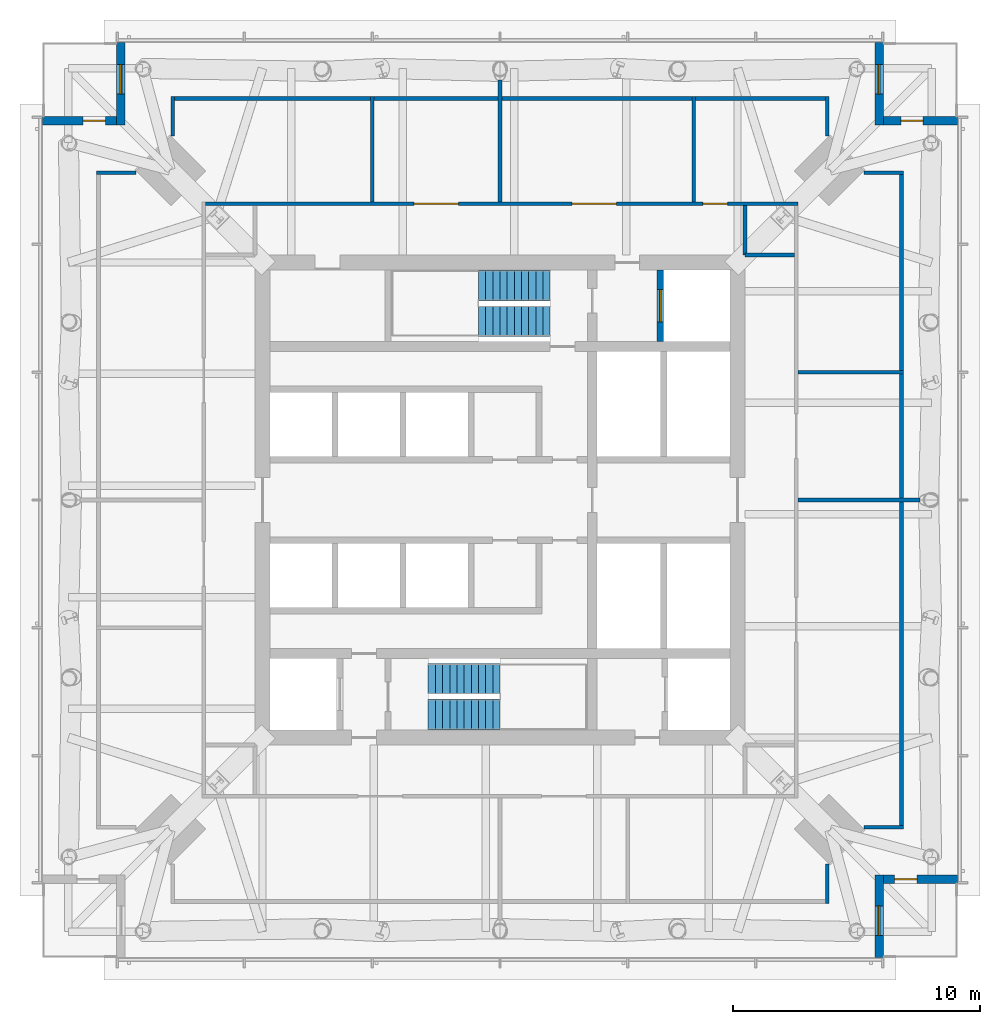
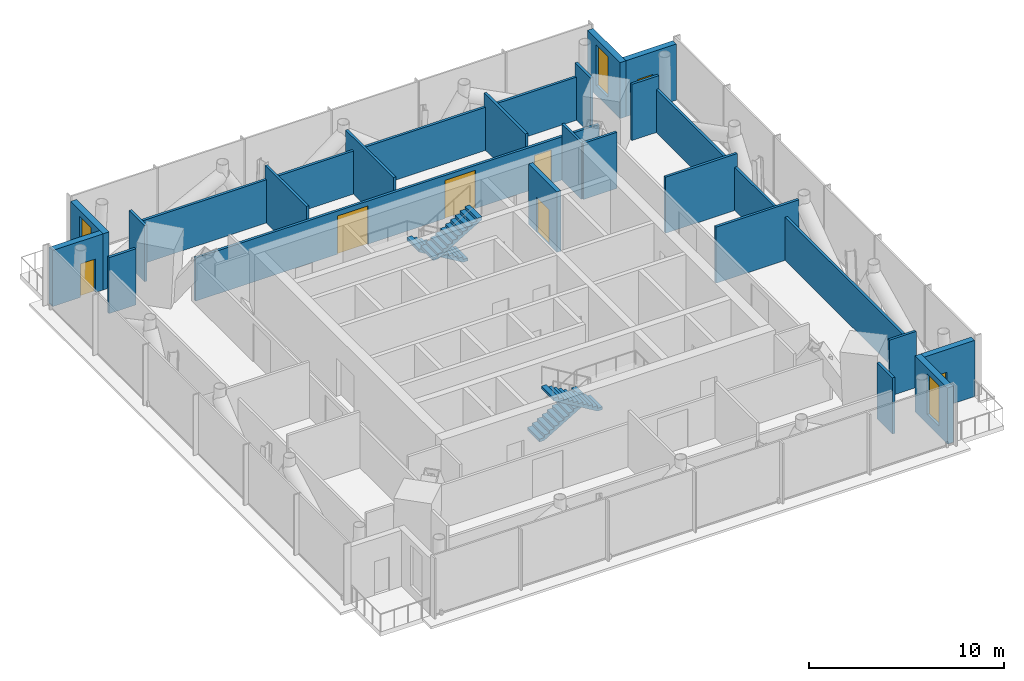
# One storey, part 6 of 10: 23 walls, 7 doors, 4 stair flights, 3 windows, 10 openings, 2 elements without a shape of their own.
"""IFC4 building model written with IfcOpenShell, lengths in metres."""

from ifc_helpers import new_model, si_unit, direction, frame, frame_2d, origin, place, context, subcontext, project, spatial, polyline, rectangle, outline, extrude, material, layer, layer_set, type_object, element, fill, aggregate, save


model = new_model("IFC4")

# Units and contexts
model_context = context("Model", 3, precision=1e-05, world=origin(), true_north=direction((0.0, 1.0)))
body_context = subcontext(model_context, "Body", "Model", "MODEL_VIEW")
ifc_project = project(units=[si_unit("LENGTHUNIT", "METRE"), si_unit("AREAUNIT", "SQUARE_METRE"), si_unit("VOLUMEUNIT", "CUBIC_METRE"), si_unit("PLANEANGLEUNIT", "RADIAN"), si_unit("MASSUNIT", "GRAM", prefix="KILO")], contexts=[model_context])

# Site, building, storey
site_placement = place(None, origin())
site = spatial("IfcSite", under=ifc_project, at=site_placement, CompositionType="ELEMENT")
building_placement = place(site_placement, origin())
building = spatial("IfcBuilding", under=site, at=building_placement, Name="Ostroluk Exchange", CompositionType="ELEMENT")
storey_placement = place(building_placement, frame((0.0, 0.0, 226.199951171875)))
storey = spatial("IfcBuildingStorey", under=building, at=storey_placement, Name="L58", CompositionType="ELEMENT", Elevation=226.199951171875)

# Walls
ifc_material_1 = material(Name="Concrete blockwork", Category="masonry")
ifc_layer_1 = layer(ifc_material_1, 0.14990234375)
ifc_layer_set_1 = layer_set([ifc_layer_1], Name="Blockwork plant room wall 150")
wall_type_1 = type_object("IfcWallType", Name="Blockwork plant room wall 150", PredefinedType="SOLIDWALL", material=ifc_layer_set_1)
wall_1_placement = place(storey_placement, frame((57.050048828125, 46.0, 0.0), z_axis=(0.0, 0.0, 1.0), x_axis=(1.0, 0.0, 0.0)))
element("IfcWall", 1, at=wall_1_placement, inside=storey, type_object=wall_type_1, Name="Plant room wall", PredefinedType="SOLIDWALL", context=body_context, shape_type="SweptSolid", body=[
    extrude(rectangle(XDim=4.919921875, YDim=0.14990234375, at=frame_2d((2.4599609375, 0.0))), origin(), (0.0, 0.0, 1.0), 3.52001953125),
])
for number, where, z_axis, x_axis, name in (
    (2, (57.050048828125, 51.166748046875, 0.0), (0.0, 0.0, 1.0), (1.0, 0.0, 0.0), "Plant room wall"),
    (3, (52.824951171875, 58.050048828125, 0.0), (0.0, 0.0, 1.0), (0.0, 1.0, 0.0), "Plant room wall"),
):
    element("IfcWall", number, at=place(storey_placement, frame(where, z_axis=z_axis, x_axis=x_axis)), inside=storey, type_object=wall_type_1, Name=name, PredefinedType="SOLIDWALL", context=body_context, shape_type="SweptSolid", body=[
        extrude(rectangle(XDim=4.25, YDim=0.14990234375, at=frame_2d((2.125, 0.0))), origin(), (0.0, 0.0, 1.0), 3.52001953125),
    ])
wall_2_placement = place(storey_placement, frame((45.0, 58.050048828125, 0.0), z_axis=(0.0, 0.0, 1.0), x_axis=(0.0, 1.0, 0.0)))
element("IfcWall", 4, at=wall_2_placement, inside=storey, type_object=wall_type_1, Name="Plant room wall", PredefinedType="SOLIDWALL", context=body_context, shape_type="SweptSolid", body=[
    extrude(rectangle(XDim=4.919921875, YDim=0.14990234375, at=frame_2d((2.4599609375, 0.0))), origin(), (0.0, 0.0, 1.0), 3.52001953125),
])

# Wall, openings, doors
wall_3_placement = place(storey_placement, frame((57.050048828125, 57.97509765625, 0.0), z_axis=(0.0, 0.0, 1.0), x_axis=(-1.0, 0.0, 0.0)))
wall_3 = element("IfcWall", 5, at=wall_3_placement, inside=storey, type_object=wall_type_1, Name="Plant room wall", PredefinedType="SOLIDWALL", context=body_context, shape_type="SweptSolid", body=[
    extrude(rectangle(XDim=23.949951171875, YDim=0.14990234375, at=frame_2d((11.97509765625, 0.0))), origin(), (0.0, 0.0, 1.0), 2.7060546875),
])
opening_1_placement = place(wall_3_placement, frame((2.85009765625, 0.0, 0.0)))
opening_1 = element("IfcOpeningElement", 6, at=opening_1_placement, cuts=wall_3, Name="Opening FD60", PredefinedType="OPENING", context=body_context, shape_type="SweptSolid", body=[
    extrude(rectangle(XDim=1.0, YDim=2.10009765625, at=frame_2d((0.5, 1.050048828125))), frame((0.0, 0.0849609375, 0.0), z_axis=(0.0, -1.0, 0.0), x_axis=(1.0, 0.0, 0.0)), (0.0, 0.0, 1.0), 0.169921875),
])
opening_2_placement = place(wall_3_placement, frame((7.35009765625, 0.0, 0.0)))
opening_2 = element("IfcOpeningElement", 7, at=opening_2_placement, cuts=wall_3, Name="Opening D-05", PredefinedType="OPENING", context=body_context, shape_type="SweptSolid", body=[
    extrude(rectangle(XDim=1.800048828125, YDim=2.39990234375, at=frame_2d((0.89990234375, 1.199951171875))), frame((0.0, 0.0849609375, 0.0), z_axis=(0.0, -1.0, 0.0), x_axis=(1.0, 0.0, 0.0)), (0.0, 0.0, 1.0), 0.169921875),
])
opening_3_placement = place(wall_3_placement, frame((13.7333984375, 0.0, 0.0)))
opening_3 = element("IfcOpeningElement", 8, at=opening_3_placement, cuts=wall_3, Name="Opening D-05", PredefinedType="OPENING", context=body_context, shape_type="SweptSolid", body=[
    extrude(rectangle(XDim=1.800048828125, YDim=2.39990234375, at=frame_2d((0.89990234375, 1.199951171875))), frame((0.0, 0.0849609375, 0.0), z_axis=(0.0, -1.0, 0.0), x_axis=(1.0, 0.0, 0.0)), (0.0, 0.0, 1.0), 0.169921875),
])
ifc_material_2 = material(Name="Steel", Category="steel")
door_type_1 = type_object("IfcDoorType", Name="Fire door EI 60 1000 x 2100", OperationType="SINGLE_SWING_LEFT", PredefinedType="DOOR", material=ifc_material_2)
door_1_placement = place(opening_1_placement, origin())
door_1 = element("IfcDoor", 9, at=door_1_placement, inside=storey, type_object=door_type_1, Name="Maintenance lobby door", OperationType="SINGLE_SWING_LEFT", OverallHeight=2.10009765625, OverallWidth=1.0, PredefinedType="DOOR", context=body_context, shape_type="SweptSolid", body=[
    extrude(rectangle(XDim=1.0, YDim=2.10009765625, at=frame_2d((0.5, 1.050048828125))), frame((0.0, 0.02490234375, 0.0), z_axis=(0.0, -1.0, 0.0), x_axis=(1.0, 0.0, 0.0)), (0.0, 0.0, 1.0), 0.050048828125),
])
fill(opening_1, door_1)
ifc_material_3 = material(Name="Steel", Category="steel")
door_type_2 = type_object("IfcDoorType", Name="Plant room double door EI 60 1800 x 2400", OperationType="DOUBLE_DOOR_SINGLE_SWING", PredefinedType="DOOR", material=ifc_material_3)
door_2_placement = place(opening_2_placement, origin())
door_2 = element("IfcDoor", 10, at=door_2_placement, inside=storey, type_object=door_type_2, Name="Water tank room door", OperationType="DOUBLE_DOOR_SINGLE_SWING", OverallHeight=2.39990234375, OverallWidth=1.800048828125, PredefinedType="DOOR", context=body_context, shape_type="SweptSolid", body=[
    extrude(rectangle(XDim=1.800048828125, YDim=2.39990234375, at=frame_2d((0.89990234375, 1.199951171875))), frame((0.0, 0.02490234375, 0.0), z_axis=(0.0, -1.0, 0.0), x_axis=(1.0, 0.0, 0.0)), (0.0, 0.0, 1.0), 0.050048828125),
])
fill(opening_2, door_2)
door_3_placement = place(opening_3_placement, origin())
door_3 = element("IfcDoor", 11, at=door_3_placement, inside=storey, type_object=door_type_2, Name="Booster pump room door", OperationType="DOUBLE_DOOR_SINGLE_SWING", OverallHeight=2.39990234375, OverallWidth=1.800048828125, PredefinedType="DOOR", context=body_context, shape_type="SweptSolid", body=[
    extrude(rectangle(XDim=1.800048828125, YDim=2.39990234375, at=frame_2d((0.89990234375, 1.199951171875))), frame((0.0, 0.02490234375, 0.0), z_axis=(0.0, -1.0, 0.0), x_axis=(1.0, 0.0, 0.0)), (0.0, 0.0, 1.0), 0.050048828125),
])
fill(opening_3, door_3)

# Wall
wall_4_placement = place(storey_placement, frame((39.833251953125, 58.050048828125, 0.0), z_axis=(0.0, 0.0, 1.0), x_axis=(0.0, 1.0, 0.0)))
element("IfcWall", 12, at=wall_4_placement, inside=storey, type_object=wall_type_1, Name="Plant room wall", PredefinedType="SOLIDWALL", context=body_context, shape_type="SweptSolid", body=[
    extrude(rectangle(XDim=4.25, YDim=0.14990234375, at=frame_2d((2.125, 0.0))), origin(), (0.0, 0.0, 1.0), 3.52001953125),
])

# Wall, opening, door
ifc_material_4 = material(Name="Concrete C40/50", Category="concrete")
ifc_layer_2 = layer(ifc_material_4, 0.25)
ifc_layer_set_2 = layer_set([ifc_layer_2], Name="Core shaft wall 250")
wall_type_2 = type_object("IfcWallType", Name="Core shaft wall 250", PredefinedType="SHEAR", material=ifc_layer_set_2)
wall_5_placement = place(storey_placement, frame((51.47509765625, 52.39990234375, 0.0), z_axis=(0.0, 0.0, 1.0), x_axis=(0.0, 1.0, 0.0)))
wall_5 = element("IfcWall", 13, at=wall_5_placement, inside=storey, type_object=wall_type_2, Name="Firefighting lift shaft wall", PredefinedType="SHEAR", context=body_context, shape_type="SweptSolid", body=[
    extrude(rectangle(XDim=2.900146484375, YDim=0.25, at=frame_2d((1.4501953125, 0.0))), origin(), (0.0, 0.0, 1.0), 3.800048828125),
])
opening_4_placement = place(wall_5_placement, frame((0.800048828125, 0.0, 0.0)))
opening_4 = element("IfcOpeningElement", 14, at=opening_4_placement, cuts=wall_5, Name="Opening LD2", PredefinedType="OPENING", context=body_context, shape_type="SweptSolid", body=[
    extrude(rectangle(XDim=1.300048828125, YDim=2.199951171875, at=frame_2d((0.64990234375, 1.10009765625))), frame((0.0, 0.135009765625, 0.0), z_axis=(0.0, -1.0, 0.0), x_axis=(1.0, 0.0, 0.0)), (0.0, 0.0, 1.0), 0.27001953125),
])
ifc_material_5 = material(Name="Stainless steel", Category="steel")
door_type_3 = type_object("IfcDoorType", Name="Lift landing door E 60 1300 x 2200", OperationType="DOUBLE_DOOR_SLIDING", PredefinedType="DOOR", material=ifc_material_5)
door_4_placement = place(opening_4_placement, origin())
door_4 = element("IfcDoor", 15, at=door_4_placement, inside=storey, type_object=door_type_3, Name="Lift FL2 landing door", OperationType="DOUBLE_DOOR_SLIDING", OverallHeight=2.199951171875, OverallWidth=1.300048828125, PredefinedType="DOOR", context=body_context, shape_type="SweptSolid", body=[
    extrude(rectangle(XDim=1.300048828125, YDim=2.199951171875, at=frame_2d((0.64990234375, 1.10009765625))), frame((0.0, 0.02490234375, 0.0), z_axis=(0.0, -1.0, 0.0), x_axis=(1.0, 0.0, 0.0)), (0.0, 0.0, 1.0), 0.050048828125),
])
fill(opening_4, door_4)

# Wall, opening, window
ifc_material_6 = material(Name="Limestone", Category="masonry")
ifc_layer_3 = layer(ifc_material_6, 0.35009765625)
ifc_layer_set_3 = layer_set([ifc_layer_3], Name="Limestone facade wall 350")
wall_type_3 = type_object("IfcWallType", Name="Limestone facade wall 350", PredefinedType="SOLIDWALL", material=ifc_layer_set_3)
wall_6_placement = place(storey_placement, frame((60.324951171875, 27.5, 0.0), z_axis=(0.0, 0.0, 1.0), x_axis=(0.0, 1.0, 0.0)))
wall_6 = element("IfcWall", 16, at=wall_6_placement, inside=storey, type_object=wall_type_3, Name="Office tower SE corner wall L58 a", PredefinedType="SOLIDWALL", context=body_context, shape_type="SweptSolid", body=[
    extrude(rectangle(XDim=3.35009765625, YDim=0.35009765625, at=frame_2d((1.675048828125, 0.0))), origin(), (0.0, 0.0, 1.0), 3.52001953125),
])
opening_5_placement = place(wall_6_placement, frame((0.89990234375, 0.0, 0.60009765625)))
opening_5 = element("IfcOpeningElement", 17, at=opening_5_placement, cuts=wall_6, Name="Opening WN-LV1", PredefinedType="OPENING", context=body_context, shape_type="SweptSolid", body=[
    extrude(rectangle(XDim=1.199951171875, YDim=2.550048828125, at=frame_2d((0.60009765625, 1.27490234375))), frame((0.0, 0.18505859375, 0.0), z_axis=(0.0, -1.0, 0.0), x_axis=(1.0, 0.0, 0.0)), (0.0, 0.0, 1.0), 0.3701171875),
])
ifc_material_7 = material(Name="Aluminium louvre", Category="aluminium")
window_type = type_object("IfcWindowType", Name="Lancet louvre 1200 x 2550", PartitioningType="SINGLE_PANEL", PredefinedType="USERDEFINED", material=ifc_material_7)
window_1_placement = place(opening_5_placement, origin())
window_1 = element("IfcWindow", 18, at=window_1_placement, inside=storey, type_object=window_type, Name="Office tower SE plant louvre L58", ObjectType="LOUVRE", OverallHeight=2.550048828125, OverallWidth=1.199951171875, PartitioningType="SINGLE_PANEL", PredefinedType="USERDEFINED", context=body_context, shape_type="SweptSolid", body=[
    extrude(rectangle(XDim=1.199951171875, YDim=2.550048828125, at=frame_2d((0.60009765625, 1.27490234375))), frame((0.0, 0.030029296875, 0.0), z_axis=(0.0, -1.0, 0.0), x_axis=(1.0, 0.0, 0.0)), (0.0, 0.0, 1.0), 0.06005859375),
])
fill(opening_5, window_1)

# Wall, opening, door
wall_7_placement = place(storey_placement, frame((60.5, 30.675048828125, 0.0), z_axis=(0.0, 0.0, 1.0), x_axis=(1.0, 0.0, 0.0)))
wall_7 = element("IfcWall", 19, at=wall_7_placement, inside=storey, type_object=wall_type_3, Name="Office tower SE corner wall L58 b", PredefinedType="SOLIDWALL", context=body_context, shape_type="SweptSolid", body=[
    extrude(rectangle(XDim=3.0, YDim=0.35009765625, at=frame_2d((1.5, 0.0))), origin(), (0.0, 0.0, 1.0), 3.52001953125),
])
opening_6_placement = place(wall_7_placement, frame((0.449951171875, 0.0, 0.0)))
opening_6 = element("IfcOpeningElement", 20, at=opening_6_placement, cuts=wall_7, Name="Opening D-M1", PredefinedType="OPENING", context=body_context, shape_type="SweptSolid", body=[
    extrude(rectangle(XDim=0.89990234375, YDim=2.10009765625, at=frame_2d((0.449951171875, 1.050048828125))), frame((0.0, 0.18505859375, 0.0), z_axis=(0.0, -1.0, 0.0), x_axis=(1.0, 0.0, 0.0)), (0.0, 0.0, 1.0), 0.3701171875),
])
ifc_material_8 = material(Name="Steel door", Category="steel")
door_type_4 = type_object("IfcDoorType", Name="Maintenance access door 900 x 2100", OperationType="SINGLE_SWING_LEFT", PredefinedType="DOOR", material=ifc_material_8)
door_5_placement = place(opening_6_placement, origin())
door_5 = element("IfcDoor", 21, at=door_5_placement, inside=storey, type_object=door_type_4, Name="Maintenance access door T1 L58 SE", OperationType="SINGLE_SWING_LEFT", OverallHeight=2.10009765625, OverallWidth=0.89990234375, PredefinedType="DOOR", context=body_context, shape_type="SweptSolid", body=[
    extrude(rectangle(XDim=0.89990234375, YDim=2.10009765625, at=frame_2d((0.449951171875, 1.050048828125))), frame((0.0, 0.02490234375, 0.0), z_axis=(0.0, -1.0, 0.0), x_axis=(1.0, 0.0, 0.0)), (0.0, 0.0, 1.0), 0.050048828125),
])
fill(opening_6, door_5)

# Wall, opening, window
wall_8_placement = place(storey_placement, frame((60.324951171875, 64.5, 0.0), z_axis=(0.0, 0.0, 1.0), x_axis=(0.0, -1.0, 0.0)))
wall_8 = element("IfcWall", 22, at=wall_8_placement, inside=storey, type_object=wall_type_3, Name="Office tower NE corner wall L58 a", PredefinedType="SOLIDWALL", context=body_context, shape_type="SweptSolid", body=[
    extrude(rectangle(XDim=3.35009765625, YDim=0.35009765625, at=frame_2d((1.675048828125, 0.0))), origin(), (0.0, 0.0, 1.0), 3.52001953125),
])
opening_7_placement = place(wall_8_placement, frame((0.89990234375, 0.0, 0.60009765625)))
opening_7 = element("IfcOpeningElement", 23, at=opening_7_placement, cuts=wall_8, Name="Opening WN-LV1", PredefinedType="OPENING", context=body_context, shape_type="SweptSolid", body=[
    extrude(rectangle(XDim=1.199951171875, YDim=2.550048828125, at=frame_2d((0.60009765625, 1.27490234375))), frame((0.0, 0.18505859375, 0.0), z_axis=(0.0, -1.0, 0.0), x_axis=(1.0, 0.0, 0.0)), (0.0, 0.0, 1.0), 0.3701171875),
])
window_2_placement = place(opening_7_placement, origin())
window_2 = element("IfcWindow", 24, at=window_2_placement, inside=storey, type_object=window_type, Name="Office tower NE plant louvre L58", ObjectType="LOUVRE", OverallHeight=2.550048828125, OverallWidth=1.199951171875, PartitioningType="SINGLE_PANEL", PredefinedType="USERDEFINED", context=body_context, shape_type="SweptSolid", body=[
    extrude(rectangle(XDim=1.199951171875, YDim=2.550048828125, at=frame_2d((0.60009765625, 1.27490234375))), frame((0.0, 0.030029296875, 0.0), z_axis=(0.0, -1.0, 0.0), x_axis=(1.0, 0.0, 0.0)), (0.0, 0.0, 1.0), 0.06005859375),
])
fill(opening_7, window_2)

# Wall, opening, door
wall_9_placement = place(storey_placement, frame((60.5, 61.324951171875, 0.0), z_axis=(0.0, 0.0, 1.0), x_axis=(1.0, 0.0, 0.0)))
wall_9 = element("IfcWall", 25, at=wall_9_placement, inside=storey, type_object=wall_type_3, Name="Office tower NE corner wall L58 b", PredefinedType="SOLIDWALL", context=body_context, shape_type="SweptSolid", body=[
    extrude(rectangle(XDim=3.0, YDim=0.35009765625, at=frame_2d((1.5, 0.0))), origin(), (0.0, 0.0, 1.0), 3.52001953125),
])
opening_8_placement = place(wall_9_placement, frame((0.699951171875, 0.0, 0.0)))
opening_8 = element("IfcOpeningElement", 26, at=opening_8_placement, cuts=wall_9, Name="Opening D-M1", PredefinedType="OPENING", context=body_context, shape_type="SweptSolid", body=[
    extrude(rectangle(XDim=0.89990234375, YDim=2.10009765625, at=frame_2d((0.449951171875, 1.050048828125))), frame((0.0, 0.18505859375, 0.0), z_axis=(0.0, -1.0, 0.0), x_axis=(1.0, 0.0, 0.0)), (0.0, 0.0, 1.0), 0.3701171875),
])
door_6_placement = place(opening_8_placement, origin())
door_6 = element("IfcDoor", 27, at=door_6_placement, inside=storey, type_object=door_type_4, Name="Maintenance access door T1 L58 NE", OperationType="SINGLE_SWING_LEFT", OverallHeight=2.10009765625, OverallWidth=0.89990234375, PredefinedType="DOOR", context=body_context, shape_type="SweptSolid", body=[
    extrude(rectangle(XDim=0.89990234375, YDim=2.10009765625, at=frame_2d((0.449951171875, 1.050048828125))), frame((0.0, 0.02490234375, 0.0), z_axis=(0.0, -1.0, 0.0), x_axis=(1.0, 0.0, 0.0)), (0.0, 0.0, 1.0), 0.050048828125),
])
fill(opening_8, door_6)

# Wall, opening, window
wall_10_placement = place(storey_placement, frame((29.675048828125, 64.5, 0.0), z_axis=(0.0, 0.0, 1.0), x_axis=(0.0, -1.0, 0.0)))
wall_10 = element("IfcWall", 28, at=wall_10_placement, inside=storey, type_object=wall_type_3, Name="Office tower NW corner wall L58 a", PredefinedType="SOLIDWALL", context=body_context, shape_type="SweptSolid", body=[
    extrude(rectangle(XDim=3.35009765625, YDim=0.35009765625, at=frame_2d((1.675048828125, 0.0))), origin(), (0.0, 0.0, 1.0), 3.52001953125),
])
opening_9_placement = place(wall_10_placement, frame((0.89990234375, 0.0, 0.60009765625)))
opening_9 = element("IfcOpeningElement", 29, at=opening_9_placement, cuts=wall_10, Name="Opening WN-LV1", PredefinedType="OPENING", context=body_context, shape_type="SweptSolid", body=[
    extrude(rectangle(XDim=1.199951171875, YDim=2.550048828125, at=frame_2d((0.60009765625, 1.27490234375))), frame((0.0, 0.18505859375, 0.0), z_axis=(0.0, -1.0, 0.0), x_axis=(1.0, 0.0, 0.0)), (0.0, 0.0, 1.0), 0.3701171875),
])
window_3_placement = place(opening_9_placement, origin())
window_3 = element("IfcWindow", 30, at=window_3_placement, inside=storey, type_object=window_type, Name="Office tower NW plant louvre L58", ObjectType="LOUVRE", OverallHeight=2.550048828125, OverallWidth=1.199951171875, PartitioningType="SINGLE_PANEL", PredefinedType="USERDEFINED", context=body_context, shape_type="SweptSolid", body=[
    extrude(rectangle(XDim=1.199951171875, YDim=2.550048828125, at=frame_2d((0.60009765625, 1.27490234375))), frame((0.0, 0.030029296875, 0.0), z_axis=(0.0, -1.0, 0.0), x_axis=(1.0, 0.0, 0.0)), (0.0, 0.0, 1.0), 0.06005859375),
])
fill(opening_9, window_3)

# Wall, opening, door
wall_11_placement = place(storey_placement, frame((29.5, 61.324951171875, 0.0), z_axis=(0.0, 0.0, 1.0), x_axis=(-1.0, 0.0, 0.0)))
wall_11 = element("IfcWall", 31, at=wall_11_placement, inside=storey, type_object=wall_type_3, Name="Office tower NW corner wall L58 b", PredefinedType="SOLIDWALL", context=body_context, shape_type="SweptSolid", body=[
    extrude(rectangle(XDim=3.0, YDim=0.35009765625, at=frame_2d((1.5, 0.0))), origin(), (0.0, 0.0, 1.0), 3.52001953125),
])
opening_10_placement = place(wall_11_placement, frame((0.449951171875, 0.0, 0.0)))
opening_10 = element("IfcOpeningElement", 32, at=opening_10_placement, cuts=wall_11, Name="Opening D-M1", PredefinedType="OPENING", context=body_context, shape_type="SweptSolid", body=[
    extrude(rectangle(XDim=0.89990234375, YDim=2.10009765625, at=frame_2d((0.449951171875, 1.050048828125))), frame((0.0, 0.18505859375, 0.0), z_axis=(0.0, -1.0, 0.0), x_axis=(1.0, 0.0, 0.0)), (0.0, 0.0, 1.0), 0.3701171875),
])
door_7_placement = place(opening_10_placement, origin())
door_7 = element("IfcDoor", 33, at=door_7_placement, inside=storey, type_object=door_type_4, Name="Maintenance access door T1 L58 NW", OperationType="SINGLE_SWING_LEFT", OverallHeight=2.10009765625, OverallWidth=0.89990234375, PredefinedType="DOOR", context=body_context, shape_type="SweptSolid", body=[
    extrude(rectangle(XDim=0.89990234375, YDim=2.10009765625, at=frame_2d((0.449951171875, 1.050048828125))), frame((0.0, 0.02490234375, 0.0), z_axis=(0.0, -1.0, 0.0), x_axis=(1.0, 0.0, 0.0)), (0.0, 0.0, 1.0), 0.050048828125),
])
fill(opening_10, door_7)

# Walls
ifc_material_9 = material(Name="Gypsum plasterboard partition", Category="gypsum")
ifc_layer_4 = layer(ifc_material_9, 0.14990234375)
ifc_layer_set_4 = layer_set([ifc_layer_4], Name="Plasterboard partition 150")
wall_type_4 = type_object("IfcWallType", Name="Plasterboard partition 150", PredefinedType="PARTITIONING", material=ifc_layer_set_4)
for number, where, z_axis, x_axis, name in (
    (34, (54.89990234375, 55.89990234375, 0.0), (0.0, 0.0, 1.0), (1.0, 0.0, 0.0), "Partition"),
    (35, (54.89990234375, 55.89990234375, 0.0), (0.0, 0.0, 1.0), (0.0, 1.0, 0.0), "Partition"),
):
    element("IfcWall", number, at=place(storey_placement, frame(where, z_axis=z_axis, x_axis=x_axis)), inside=storey, type_object=wall_type_4, Name=name, PredefinedType="PARTITIONING", context=body_context, shape_type="SweptSolid", body=[
        extrude(rectangle(XDim=2.0, YDim=0.14990234375, at=frame_2d((1.0, 0.0))), origin(), (0.0, 0.0, 1.0), 3.52001953125),
    ])
for number, where, z_axis, x_axis, name in (
    (36, (28.699951171875, 59.22509765625, 0.0), (0.0, 0.0, 1.0), (1.0, 0.0, 0.0), "Truss zone partition"),
    (37, (31.77490234375, 60.714111328125, 0.0), (0.0, 0.0, 1.0), (0.0, 1.0, 0.0), "Truss zone partition"),
):
    element("IfcWall", number, at=place(storey_placement, frame(where, z_axis=z_axis, x_axis=x_axis)), inside=storey, type_object=wall_type_4, Name=name, PredefinedType="PARTITIONING", context=body_context, shape_type="SweptSolid", body=[
        extrude(rectangle(XDim=1.5859375, YDim=0.14990234375, at=frame_2d((0.79296875, 0.0))), origin(), (0.0, 0.0, 1.0), 3.52001953125),
    ])
wall_12_placement = place(storey_placement, frame((31.699951171875, 62.22509765625, 0.0), z_axis=(0.0, 0.0, 1.0), x_axis=(1.0, 0.0, 0.0)))
element("IfcWall", 38, at=wall_12_placement, inside=storey, type_object=wall_type_4, Name="Truss zone partition", PredefinedType="PARTITIONING", context=body_context, shape_type="SweptSolid", body=[
    extrude(rectangle(XDim=26.60009765625, YDim=0.14990234375, at=frame_2d((13.300048828125, 0.0))), origin(), (0.0, 0.0, 1.0), 2.7060546875),
])
for number, where, z_axis, x_axis, name in (
    (39, (58.22509765625, 62.300048828125, 0.0), (0.0, 0.0, 1.0), (0.0, -1.0, 0.0), "Truss zone partition"),
    (40, (59.714111328125, 59.22509765625, 0.0), (0.0, 0.0, 1.0), (1.0, 0.0, 0.0), "Truss zone partition"),
):
    element("IfcWall", number, at=place(storey_placement, frame(where, z_axis=z_axis, x_axis=x_axis)), inside=storey, type_object=wall_type_4, Name=name, PredefinedType="PARTITIONING", context=body_context, shape_type="SweptSolid", body=[
        extrude(rectangle(XDim=1.5859375, YDim=0.14990234375, at=frame_2d((0.79296875, 0.0))), origin(), (0.0, 0.0, 1.0), 3.52001953125),
    ])
wall_13_placement = place(storey_placement, frame((61.22509765625, 59.300048828125, 0.0), z_axis=(0.0, 0.0, 1.0), x_axis=(0.0, -1.0, 0.0)))
element("IfcWall", 41, at=wall_13_placement, inside=storey, type_object=wall_type_4, Name="Truss zone partition", PredefinedType="PARTITIONING", context=body_context, shape_type="SweptSolid", body=[
    extrude(rectangle(XDim=26.60009765625, YDim=0.14990234375, at=frame_2d((13.300048828125, 0.0))), origin(), (0.0, 0.0, 1.0), 2.7060546875),
])
for number, where, z_axis, x_axis, name in (
    (42, (61.300048828125, 32.77490234375, 0.0), (0.0, 0.0, 1.0), (-1.0, 0.0, 0.0), "Truss zone partition"),
    (43, (58.22509765625, 31.285888671875, 0.0), (0.0, 0.0, 1.0), (0.0, -1.0, 0.0), "Truss zone partition"),
):
    element("IfcWall", number, at=place(storey_placement, frame(where, z_axis=z_axis, x_axis=x_axis)), inside=storey, type_object=wall_type_4, Name=name, PredefinedType="PARTITIONING", context=body_context, shape_type="SweptSolid", body=[
        extrude(rectangle(XDim=1.5859375, YDim=0.14990234375, at=frame_2d((0.79296875, 0.0))), origin(), (0.0, 0.0, 1.0), 3.52001953125),
    ])

# Stair, stair flights
ifc_material_10 = material(Name="Concrete C30/37", Category="concrete")
stair_type = type_object("IfcStairType", Name="Exit stair half turn 3800", PredefinedType="HALF_TURN_STAIR", material=ifc_material_10)
stair_1_placement = place(storey_placement, origin())
stair_1 = element("IfcStair", 44, at=stair_1_placement, inside=storey, type_object=stair_type, Name="Stair T1-S1 L58", PredefinedType="HALF_TURN_STAIR")
ifc_material_11 = material(Name="Concrete C30/37", Category="concrete")
stair_flight_type = type_object("IfcStairFlightType", Name="Stair flight 11 risers 172.7 x 290", PredefinedType="STRAIGHT", material=ifc_material_11)
stair_flight_1_placement = place(storey_placement, frame((42.10009765625, 38.77490234375, 0.0), z_axis=(0.0, 0.0, 1.0), x_axis=(1.0, 0.0, 0.0)))
stair_flight_1 = element("IfcStairFlight", 45, at=stair_flight_1_placement, type_object=stair_flight_type, Name="T1-S1 flight 1", NumberOfRisers=11, NumberOfTreads=10, PredefinedType="STRAIGHT", RiserHeight=0.172727273, TreadLength=0.29, context=body_context, shape_type="SweptSolid", body=[
    extrude(outline(polyline([(0.0, 0.0), (0.0, 0.172607421875), (0.2900390625, 0.172607421875), (0.2900390625, 0.345458984375), (0.580078125, 0.345458984375), (0.580078125, 0.51806640625), (0.8701171875, 0.51806640625), (0.8701171875, 0.69091796875), (1.159912109375, 0.69091796875), (1.159912109375, 0.863525390625), (1.449951171875, 0.863525390625), (1.449951171875, 1.036376953125), (1.739990234375, 1.036376953125), (1.739990234375, 1.208984375), (2.030029296875, 1.208984375), (2.030029296875, 1.3818359375), (2.320068359375, 1.3818359375), (2.320068359375, 1.554443359375), (2.610107421875, 1.554443359375), (2.610107421875, 1.727294921875), (2.89990234375, 1.727294921875), (2.89990234375, 1.89990234375), (2.89990234375, 1.552734375), (0.29296875, 0.0), (0.0, 0.0)])), frame((0.0, 0.625, 0.0), z_axis=(0.0, -1.0, 0.0), x_axis=(1.0, 0.0, 0.0)), (0.0, 0.0, 1.0), 1.25),
])
stair_flight_2_placement = place(storey_placement, frame((45.0, 37.324951171875, 1.900146484375), z_axis=(0.0, 0.0, 1.0), x_axis=(-1.0, 0.0, 0.0)))
stair_flight_2 = element("IfcStairFlight", 46, at=stair_flight_2_placement, type_object=stair_flight_type, Name="T1-S1 flight 2", NumberOfRisers=11, NumberOfTreads=10, PredefinedType="STRAIGHT", RiserHeight=0.172727273, TreadLength=0.29, context=body_context, shape_type="SweptSolid", body=[
    extrude(outline(polyline([(0.0, 0.0), (0.0, 0.172607421875), (0.2900390625, 0.172607421875), (0.2900390625, 0.345458984375), (0.580078125, 0.345458984375), (0.580078125, 0.51806640625), (0.8701171875, 0.51806640625), (0.8701171875, 0.69091796875), (1.159912109375, 0.69091796875), (1.159912109375, 0.863525390625), (1.449951171875, 0.863525390625), (1.449951171875, 1.036376953125), (1.739990234375, 1.036376953125), (1.739990234375, 1.208984375), (2.030029296875, 1.208984375), (2.030029296875, 1.3818359375), (2.320068359375, 1.3818359375), (2.320068359375, 1.554443359375), (2.610107421875, 1.554443359375), (2.610107421875, 1.727294921875), (2.89990234375, 1.727294921875), (2.89990234375, 1.89990234375), (2.89990234375, 1.552734375), (0.29296875, 0.0), (0.0, 0.0)])), frame((0.0, 0.625, 0.0), z_axis=(0.0, -1.0, 0.0), x_axis=(1.0, 0.0, 0.0)), (0.0, 0.0, 1.0), 1.25),
])
aggregate(stair_1, [stair_flight_1, stair_flight_2])

stair_2_placement = place(storey_placement, origin())
stair_2 = element("IfcStair", 47, at=stair_2_placement, inside=storey, type_object=stair_type, Name="Stair T1-S2 L58", PredefinedType="HALF_TURN_STAIR")
stair_flight_3_placement = place(storey_placement, frame((47.030029296875, 54.675048828125, 0.0), z_axis=(0.0, 0.0, 1.0), x_axis=(-1.0, 0.0, 0.0)))
stair_flight_3 = element("IfcStairFlight", 48, at=stair_flight_3_placement, type_object=stair_flight_type, Name="T1-S2 flight 1", NumberOfRisers=11, NumberOfTreads=10, PredefinedType="STRAIGHT", RiserHeight=0.172727273, TreadLength=0.29, context=body_context, shape_type="SweptSolid", body=[
    extrude(outline(polyline([(0.0, 0.0), (0.0, 0.172607421875), (0.2900390625, 0.172607421875), (0.2900390625, 0.345458984375), (0.580078125, 0.345458984375), (0.580078125, 0.51806640625), (0.8701171875, 0.51806640625), (0.8701171875, 0.69091796875), (1.159912109375, 0.69091796875), (1.159912109375, 0.863525390625), (1.449951171875, 0.863525390625), (1.449951171875, 1.036376953125), (1.739990234375, 1.036376953125), (1.739990234375, 1.208984375), (2.030029296875, 1.208984375), (2.030029296875, 1.3818359375), (2.320068359375, 1.3818359375), (2.320068359375, 1.554443359375), (2.610107421875, 1.554443359375), (2.610107421875, 1.727294921875), (2.89990234375, 1.727294921875), (2.89990234375, 1.89990234375), (2.89990234375, 1.552734375), (0.29296875, 0.0), (0.0, 0.0)])), frame((0.0, 0.625, 0.0), z_axis=(0.0, -1.0, 0.0), x_axis=(1.0, 0.0, 0.0)), (0.0, 0.0, 1.0), 1.25),
])
stair_flight_4_placement = place(storey_placement, frame((44.1298828125, 53.22509765625, 1.900146484375), z_axis=(0.0, 0.0, 1.0), x_axis=(1.0, 0.0, 0.0)))
stair_flight_4 = element("IfcStairFlight", 49, at=stair_flight_4_placement, type_object=stair_flight_type, Name="T1-S2 flight 2", NumberOfRisers=11, NumberOfTreads=10, PredefinedType="STRAIGHT", RiserHeight=0.172727273, TreadLength=0.29, context=body_context, shape_type="SweptSolid", body=[
    extrude(outline(polyline([(0.0, 0.0), (0.0, 0.172607421875), (0.2900390625, 0.172607421875), (0.2900390625, 0.345458984375), (0.580078125, 0.345458984375), (0.580078125, 0.51806640625), (0.8701171875, 0.51806640625), (0.8701171875, 0.69091796875), (1.159912109375, 0.69091796875), (1.159912109375, 0.863525390625), (1.449951171875, 0.863525390625), (1.449951171875, 1.036376953125), (1.739990234375, 1.036376953125), (1.739990234375, 1.208984375), (2.030029296875, 1.208984375), (2.030029296875, 1.3818359375), (2.320068359375, 1.3818359375), (2.320068359375, 1.554443359375), (2.610107421875, 1.554443359375), (2.610107421875, 1.727294921875), (2.89990234375, 1.727294921875), (2.89990234375, 1.89990234375), (2.89990234375, 1.552734375), (0.29296875, 0.0), (0.0, 0.0)])), frame((0.0, 0.625, 0.0), z_axis=(0.0, -1.0, 0.0), x_axis=(1.0, 0.0, 0.0)), (0.0, 0.0, 1.0), 1.25),
])
aggregate(stair_2, [stair_flight_3, stair_flight_4])

save(model, "model.ifc")
